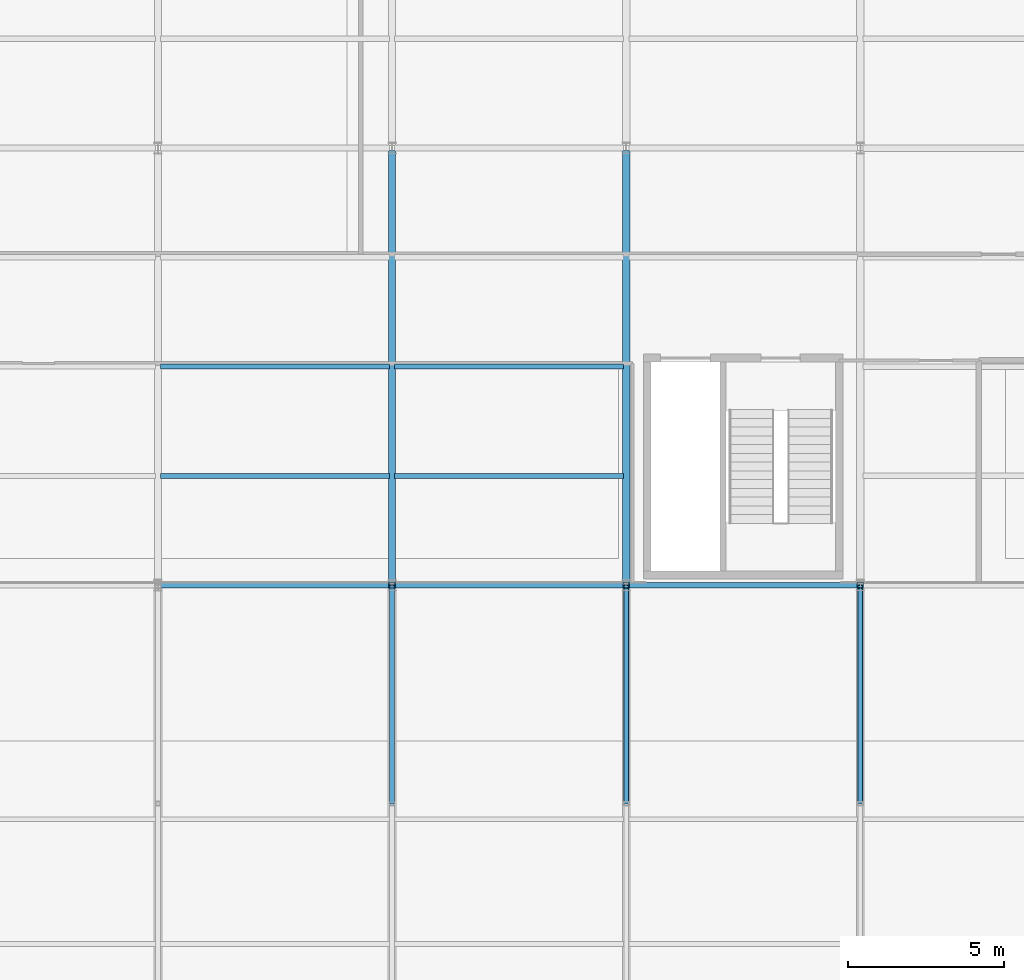
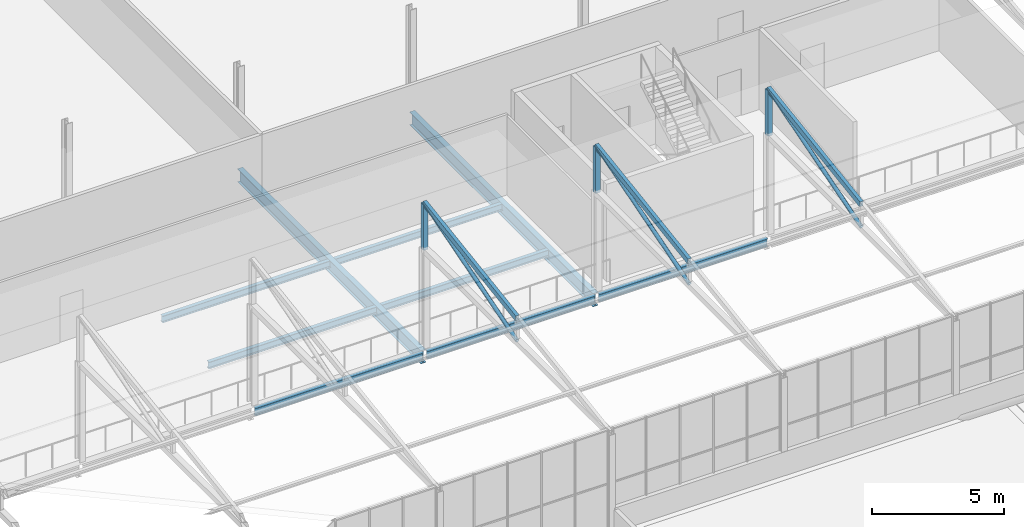
# One storey, part 64 of 104: 9 beams, 9 members.
"""IFC4 building model written with IfcOpenShell, lengths in metres."""

from ifc_helpers import new_model, si_unit, direction, frame, origin, origin_2d, place, context, subcontext, project, spatial, hollow_rectangle, hollow_circle, i_section, extrude, material, material_profile, profile_set, type_object, element, save


model = new_model("IFC4")

# Units and contexts
model_context = context("Model", 3, precision=1e-05, world=origin(), true_north=direction((0.0, 1.0)))
body_context = subcontext(model_context, "Body", "Model", "MODEL_VIEW")
ifc_project = project(units=[si_unit("LENGTHUNIT", "METRE"), si_unit("AREAUNIT", "SQUARE_METRE"), si_unit("VOLUMEUNIT", "CUBIC_METRE"), si_unit("PLANEANGLEUNIT", "RADIAN"), si_unit("MASSUNIT", "GRAM", prefix="KILO")], contexts=[model_context])

# Site, building, storey
site_placement = place(None, origin())
site = spatial("IfcSite", under=ifc_project, at=site_placement, CompositionType="ELEMENT")
building_placement = place(site_placement, origin())
building = spatial("IfcBuilding", under=site, at=building_placement, Name="Solvenia Promenade Tram Depot", CompositionType="ELEMENT")
storey_placement = place(building_placement, frame((0.0, 0.0, 9.0)))
storey = spatial("IfcBuildingStorey", under=building, at=storey_placement, Name="L02", CompositionType="ELEMENT", Elevation=9.0)

# Members
ifc_material_1 = material(Name="Structural steel ASTM A500 Gr. C", Category="steel")
ifc_material_profile_1 = material_profile(ifc_material_1, hollow_rectangle(XDim=0.14990234375, YDim=0.25, WallThickness=0.010009765625, at=origin_2d()), Name="HSS250x150x10", Category="steel")
ifc_profile_set_1 = profile_set([ifc_material_profile_1], Name="Structural steel ASTM A500 Gr. C")
member_type_1 = type_object("IfcMemberType", Name="Chord-HSS250x150x10", PredefinedType="CHORD", material=ifc_profile_set_1)
for number, where, z_axis, x_axis, name in (
    (1, (135.0, 31.0, 5.530029296875), (0.0, 0.988935340875, 0.148347199397), (-1.0, 0.0, 0.0), "Crane Hall Clerestory Rafter 05N"),
    (2, (142.5, 31.0, 5.530029296875), (0.0, 0.988935340875, 0.148347199397), (-1.0, 0.0, 0.0), "Crane Hall Clerestory Rafter 06N"),
    (3, (150.0, 31.0, 5.530029296875), (0.0, 0.988935340875, 0.148347199397), (-1.0, 0.0, 0.0), "Crane Hall Clerestory Rafter 07N"),
):
    element("IfcMember", number, at=place(storey_placement, frame(where, z_axis=z_axis, x_axis=x_axis)), inside=storey, type_object=member_type_1, Name=name, PredefinedType="CHORD", context=body_context, shape_type="SweptSolid", body=[
        extrude(hollow_rectangle(XDim=0.14990234375, YDim=0.25, WallThickness=0.010009765625, at=origin_2d()), origin(), (0.0, 0.0, 1.0), 7.078369140625),
    ])

# Beams
ifc_material_2 = material(Name="Structural steel ASTM A992 Gr. 50", Category="steel")
ifc_material_profile_2 = material_profile(ifc_material_2, i_section(OverallWidth=0.22900390625, OverallDepth=0.612060546875, WebThickness=0.011962890625, FlangeThickness=0.01953125, FilletRadius=0.014892578125, at=origin_2d()), Name="W610x125", Category="steel")
ifc_profile_set_2 = profile_set([ifc_material_profile_2], Name="Structural steel ASTM A992 Gr. 50")
beam_type_1 = type_object("IfcBeamType", Name="Gird-W610x125", PredefinedType="BEAM", material=ifc_profile_set_2)
for number, where, z_axis, x_axis, name in (
    (4, (135.0, 38.0849609375, -0.5458984375), (0.0, 1.0, 0.0), (-1.0, 0.0, 0.0), "Transverse Girder BM-L02-0477"),
    (5, (142.5, 38.0849609375, -0.5458984375), (0.0, 1.0, 0.0), (-1.0, 0.0, 0.0), "Transverse Girder BM-L02-0479"),
):
    element("IfcBeam", number, at=place(storey_placement, frame(where, z_axis=z_axis, x_axis=x_axis)), inside=storey, type_object=beam_type_1, Name=name, PredefinedType="BEAM", context=body_context, shape_type="SweptSolid", body=[
        extrude(i_section(OverallWidth=0.22900390625, OverallDepth=0.612060546875, WebThickness=0.011962890625, FlangeThickness=0.01953125, FilletRadius=0.014892578125, at=origin_2d()), origin(), (0.0, 0.0, 1.0), 13.830078125),
    ])
ifc_material_profile_3 = material_profile(ifc_material_2, i_section(OverallWidth=0.166015625, OverallDepth=0.31298828125, WebThickness=0.006591796875, FlangeThickness=0.01123046875, FilletRadius=0.010009765625, at=origin_2d()), Name="W310x45", Category="steel")
ifc_profile_set_3 = profile_set([ifc_material_profile_3], Name="Structural steel ASTM A992 Gr. 50")
beam_type_2 = type_object("IfcBeamType", Name="Joist-W310x45", PredefinedType="JOIST", material=ifc_profile_set_3)
for number, where, z_axis, x_axis, name in (
    (6, (127.5849609375, 41.5, -0.396484375), (1.0, 0.0, 0.0), (0.0, 1.0, 0.0), "Secondary Floor Joist BM-L02-0501"),
    (7, (127.5849609375, 45.0, -0.396484375), (1.0, 0.0, 0.0), (0.0, 1.0, 0.0), "Secondary Floor Joist BM-L02-0502"),
    (8, (135.0849609375, 41.5, -0.396484375), (1.0, 0.0, 0.0), (0.0, 1.0, 0.0), "Secondary Floor Joist BM-L02-0507"),
    (9, (135.0849609375, 45.0, -0.396484375), (1.0, 0.0, 0.0), (0.0, 1.0, 0.0), "Secondary Floor Joist BM-L02-0508"),
):
    element("IfcBeam", number, at=place(storey_placement, frame(where, z_axis=z_axis, x_axis=x_axis)), inside=storey, type_object=beam_type_2, Name=name, PredefinedType="JOIST", context=body_context, shape_type="SweptSolid", body=[
        extrude(i_section(OverallWidth=0.166015625, OverallDepth=0.31298828125, WebThickness=0.006591796875, FlangeThickness=0.01123046875, FilletRadius=0.010009765625, at=origin_2d()), origin(), (0.0, 0.0, 1.0), 7.330078125),
    ])

# Members
ifc_material_profile_4 = material_profile(ifc_material_1, hollow_rectangle(XDim=0.199951171875, YDim=0.199951171875, WallThickness=0.010009765625, at=origin_2d()), Name="HSS200x200x10", Category="steel")
ifc_profile_set_4 = profile_set([ifc_material_profile_4], Name="Structural steel ASTM A500 Gr. C")
member_type_2 = type_object("IfcMemberType", Name="Post-HSS200x200x10", PredefinedType="POST", material=ifc_profile_set_4)
for number, where, z_axis, x_axis, name in (
    (10, (135.0, 38.0, 4.47998046875), (0.0, 0.0, 1.0), (1.0, 0.0, 0.0), "Crane Hall Clerestory Post 05"),
    (11, (142.5, 38.0, 4.47998046875), (0.0, 0.0, 1.0), (1.0, 0.0, 0.0), "Crane Hall Clerestory Post 06"),
    (12, (150.0, 38.0, 4.47998046875), (0.0, 0.0, 1.0), (1.0, 0.0, 0.0), "Crane Hall Clerestory Post 07"),
):
    element("IfcMember", number, at=place(storey_placement, frame(where, z_axis=z_axis, x_axis=x_axis)), inside=storey, type_object=member_type_2, Name=name, PredefinedType="POST", context=body_context, shape_type="SweptSolid", body=[
        extrude(hollow_rectangle(XDim=0.199951171875, YDim=0.199951171875, WallThickness=0.010009765625, at=origin_2d()), origin(), (0.0, 0.0, 1.0), 2.10009765625),
    ])

# Beams
ifc_material_profile_5 = material_profile(ifc_material_2, i_section(OverallWidth=0.172119140625, OverallDepth=0.35791015625, WebThickness=0.0078125, FlangeThickness=0.01318359375, FilletRadius=0.010986328125, at=origin_2d()), Name="W360x57", Category="steel")
ifc_profile_set_5 = profile_set([ifc_material_profile_5], Name="Structural steel ASTM A992 Gr. 50")
beam_type_3 = type_object("IfcBeamType", Name="Spandrel-W360x57", PredefinedType="SPANDREL", material=ifc_profile_set_5)
for number, where, z_axis, x_axis, name in (
    (13, (127.5849609375, 38.0, -0.4189453125), (1.0, 0.0, 0.0), (0.0, 1.0, 0.0), "Perimeter Spandrel BM-L02-0451"),
    (14, (135.0849609375, 38.0, -0.4189453125), (1.0, 0.0, 0.0), (0.0, 1.0, 0.0), "Perimeter Spandrel BM-L02-0452"),
    (15, (142.5849609375, 38.0, -0.4189453125), (1.0, 0.0, 0.0), (0.0, 1.0, 0.0), "Perimeter Spandrel BM-L02-0453"),
):
    element("IfcBeam", number, at=place(storey_placement, frame(where, z_axis=z_axis, x_axis=x_axis)), inside=storey, type_object=beam_type_3, Name=name, PredefinedType="SPANDREL", context=body_context, shape_type="SweptSolid", body=[
        extrude(i_section(OverallWidth=0.172119140625, OverallDepth=0.35791015625, WebThickness=0.0078125, FlangeThickness=0.01318359375, FilletRadius=0.010986328125, at=origin_2d()), origin(), (0.0, 0.0, 1.0), 7.330078125),
    ])

# Members
ifc_material_profile_6 = material_profile(ifc_material_1, hollow_circle(Radius=0.084228515625, WallThickness=0.008056640625, at=origin_2d()), Name="CHS168.3x8", Category="steel")
ifc_profile_set_6 = profile_set([ifc_material_profile_6], Name="Structural steel ASTM A500 Gr. C")
member_type_3 = type_object("IfcMemberType", Name="WebDiag-CHS168x8", PredefinedType="BRACE", material=ifc_profile_set_6)
for number, where, z_axis, x_axis, name in (
    (16, (135.0, 31.0, 4.47998046875), (0.0, 0.957822607396, 0.287360144699), (-1.0, 0.0, 0.0), "Crane Hall Truss Web Diagonal 05"),
    (17, (142.5, 31.0, 4.47998046875), (0.0, 0.957822607396, 0.287360144699), (-1.0, 0.0, 0.0), "Crane Hall Truss Web Diagonal 06"),
    (18, (150.0, 31.0, 4.47998046875), (0.0, 0.957822607396, 0.287360144699), (-1.0, 0.0, 0.0), "Crane Hall Truss Web Diagonal 07"),
):
    element("IfcMember", number, at=place(storey_placement, frame(where, z_axis=z_axis, x_axis=x_axis)), inside=storey, type_object=member_type_3, Name=name, PredefinedType="BRACE", context=body_context, shape_type="SweptSolid", body=[
        extrude(hollow_circle(Radius=0.084228515625, WallThickness=0.008056640625, at=origin_2d()), origin(), (0.0, 0.0, 1.0), 7.308349609375),
    ])

save(model, "model.ifc")
